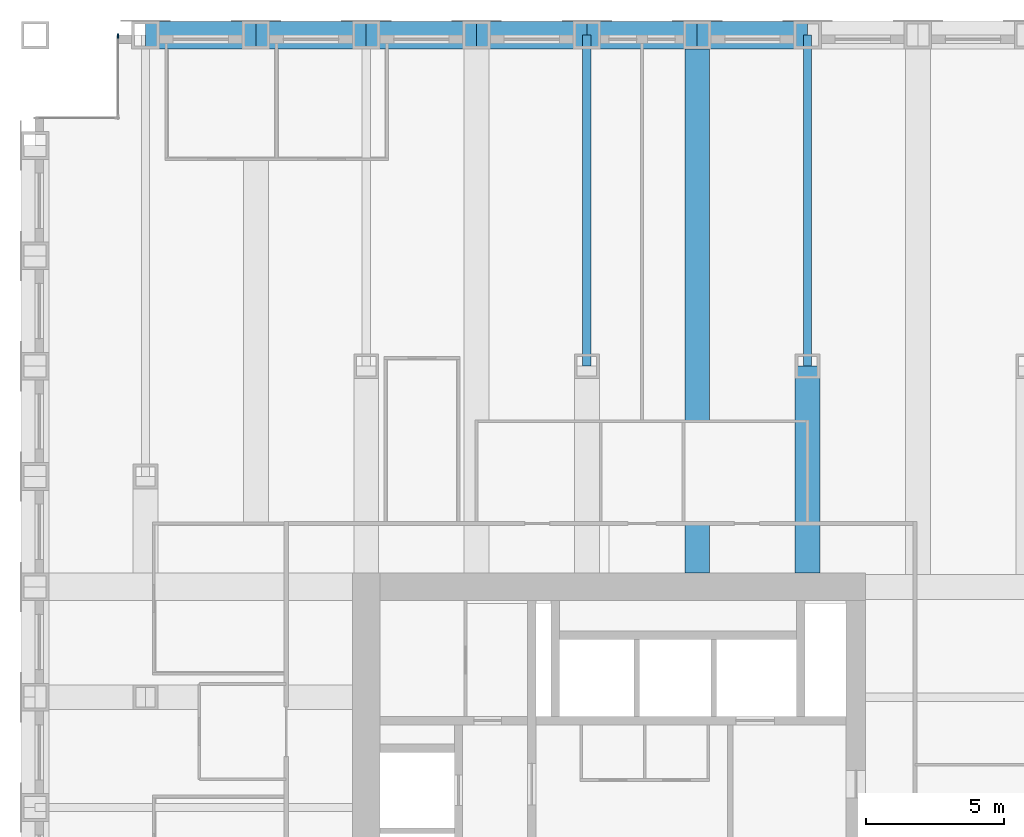
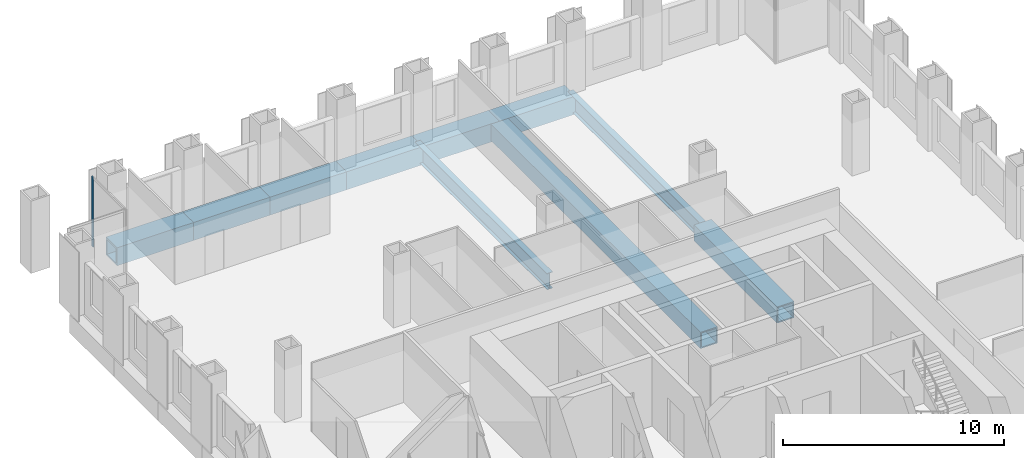
# One storey, part 6 of 14: 10 beams, 1 member, 1 element without a shape of its own.
"""IFC4 building model written with IfcOpenShell, lengths in metres."""

from ifc_helpers import new_model, si_unit, direction, frame, origin, origin_2d, place, context, subcontext, project, spatial, rectangle, hollow_rectangle, i_section, extrude, material, material_profile, profile_set, type_object, element, aggregate, save


model = new_model("IFC4")

# Units and contexts
model_context = context("Model", 3, precision=1e-05, world=origin(), true_north=direction((0.0, 1.0)))
body_context = subcontext(model_context, "Body", "Model", "MODEL_VIEW")
ifc_project = project(units=[si_unit("LENGTHUNIT", "METRE"), si_unit("AREAUNIT", "SQUARE_METRE"), si_unit("VOLUMEUNIT", "CUBIC_METRE"), si_unit("PLANEANGLEUNIT", "RADIAN"), si_unit("MASSUNIT", "GRAM", prefix="KILO")], contexts=[model_context])

# Site, building, storey
site_placement = place(None, origin())
site = spatial("IfcSite", under=ifc_project, at=site_placement, CompositionType="ELEMENT")
building_placement = place(site_placement, origin())
building = spatial("IfcBuilding", under=site, at=building_placement, Name="Rimbunsela Tower", CompositionType="ELEMENT")
storey_placement = place(building_placement, frame((0.0, 0.0, 179.800048828125)))
storey = spatial("IfcBuildingStorey", under=building, at=storey_placement, Name="L43", CompositionType="ELEMENT", Elevation=179.800048828125)

# Beams
ifc_material_1 = material(Name="Steel BJ 55 (fy 410 MPa)", Category="steel")
ifc_material_profile_1 = material_profile(ifc_material_1, hollow_rectangle(XDim=1.0, YDim=1.0, WallThickness=0.10009765625, at=origin_2d()), Name="BOX 1000x1000x100")
ifc_profile_set_1 = profile_set([ifc_material_profile_1], Name="Steel BJ 55 (fy 410 MPa)")
beam_type_1 = type_object("IfcBeamType", Name="Beam BOX 1000x1000x100", PredefinedType="BEAM", material=ifc_profile_set_1)
for number, where, z_axis, x_axis, name in (
    (1, (10.0, 56.0, -0.650146484375), (1.0, 0.0, 0.0), (0.0, 1.0, 0.0), "Beam B3 L43"),
    (2, (14.0, 56.0, -0.650146484375), (1.0, 0.0, 0.0), (0.0, 1.0, 0.0), "Beam B3 L43"),
    (3, (18.0, 56.0, -0.650146484375), (1.0, 0.0, 0.0), (0.0, 1.0, 0.0), "Beam B3 L43"),
    (4, (22.0, 56.0, -0.650146484375), (1.0, 0.0, 0.0), (0.0, 1.0, 0.0), "Beam B3 L43"),
    (5, (26.0, 56.0, -0.650146484375), (1.0, 0.0, 0.0), (0.0, 1.0, 0.0), "Beam B3 L43"),
    (6, (30.0, 56.0, -0.650146484375), (1.0, 0.0, 0.0), (0.0, 1.0, 0.0), "Beam B3 L43"),
):
    element("IfcBeam", number, at=place(storey_placement, frame(where, z_axis=z_axis, x_axis=x_axis)), inside=storey, type_object=beam_type_1, Name=name, PredefinedType="BEAM", context=body_context, shape_type="SweptSolid", body=[
        extrude(hollow_rectangle(XDim=1.0, YDim=1.0, WallThickness=0.10009765625, at=origin_2d()), origin(), (0.0, 0.0, 1.0), 4.0),
    ])
ifc_material_2 = material(Name="Steel BJ 55 (fy 410 MPa)", Category="steel")
ifc_material_profile_2 = material_profile(ifc_material_2, hollow_rectangle(XDim=0.89990234375, YDim=0.89990234375, WallThickness=0.06005859375, at=origin_2d()), Name="BOX 900x900x60")
ifc_profile_set_2 = profile_set([ifc_material_profile_2], Name="Steel BJ 55 (fy 410 MPa)")
beam_type_2 = type_object("IfcBeamType", Name="Beam BOX 900x900x60", PredefinedType="BEAM", material=ifc_profile_set_2)
beam_1_placement = place(storey_placement, frame((30.0, 36.5, -0.60009765625), z_axis=(0.0, 1.0, 0.0), x_axis=(-1.0, 0.0, 0.0)))
element("IfcBeam", 7, at=beam_1_placement, inside=storey, type_object=beam_type_2, Name="Beam B1 L43", PredefinedType="BEAM", context=body_context, shape_type="SweptSolid", body=[
    extrude(hollow_rectangle(XDim=0.89990234375, YDim=0.89990234375, WallThickness=0.06005859375, at=origin_2d()), origin(), (0.0, 0.0, 1.0), 19.5),
])
beam_2_placement = place(storey_placement, frame((34.0, 36.5, -0.60009765625), z_axis=(0.0, 1.0, 0.0), x_axis=(-1.0, 0.0, 0.0)))
element("IfcBeam", 8, at=beam_2_placement, inside=storey, type_object=beam_type_2, Name="Beam B1 L43", PredefinedType="BEAM", context=body_context, shape_type="SweptSolid", body=[
    extrude(hollow_rectangle(XDim=0.89990234375, YDim=0.89990234375, WallThickness=0.06005859375, at=origin_2d()), origin(), (0.0, 0.0, 1.0), 7.5),
])
ifc_material_3 = material(Name="Steel BJ 55 (fy 410 MPa)", Category="steel")
ifc_material_profile_3 = material_profile(ifc_material_3, i_section(OverallWidth=0.300048828125, OverallDepth=0.89990234375, WebThickness=0.01611328125, FlangeThickness=0.028076171875, FilletRadius=0.028076171875, at=origin_2d()), Name="H 900x300x16x28")
ifc_profile_set_3 = profile_set([ifc_material_profile_3], Name="Steel BJ 55 (fy 410 MPa)")
beam_type_3 = type_object("IfcBeamType", Name="Beam H 900x300x16x28", PredefinedType="BEAM", material=ifc_profile_set_3)
for number, where, z_axis, x_axis, name in (
    (9, (26.0, 44.0, -0.60009765625), (0.0, 1.0, 0.0), (-1.0, 0.0, 0.0), "Beam B2 L43"),
    (10, (34.0, 44.0, -0.60009765625), (0.0, 1.0, 0.0), (-1.0, 0.0, 0.0), "Beam B2 L43"),
):
    element("IfcBeam", number, at=place(storey_placement, frame(where, z_axis=z_axis, x_axis=x_axis)), inside=storey, type_object=beam_type_3, Name=name, PredefinedType="BEAM", context=body_context, shape_type="SweptSolid", body=[
        extrude(i_section(OverallWidth=0.300048828125, OverallDepth=0.89990234375, WebThickness=0.01611328125, FlangeThickness=0.028076171875, FilletRadius=0.028076171875, at=origin_2d()), origin(), (0.0, 0.0, 1.0), 12.0),
    ])

# Curtain wall, member
ifc_material_4 = material(Name="Aluminium curtain wall", Category="aluminium")
curtain_wall_type = type_object("IfcCurtainWallType", Name="Corner glazing", PredefinedType="USERDEFINED", material=ifc_material_4)
curtain_wall_placement = place(storey_placement, origin())
curtain_wall = element("IfcCurtainWall", 11, at=curtain_wall_placement, inside=storey, type_object=curtain_wall_type, Name="Corner glazing L43", ObjectType="CORNER GLAZING", PredefinedType="USERDEFINED")
ifc_material_5 = material(Name="Aluminium mullion", Category="aluminium")
ifc_material_profile_4 = material_profile(ifc_material_5, rectangle(XDim=0.06005859375, YDim=0.159912109375, at=origin_2d()), Name="Mullion 60x160")
ifc_profile_set_4 = profile_set([ifc_material_profile_4], Name="Aluminium mullion")
member_type = type_object("IfcMemberType", Name="Curtain wall mullion 60x160", PredefinedType="MULLION", material=ifc_profile_set_4)
member_placement = place(storey_placement, frame((9.0, 55.969970703125, 0.0), z_axis=(0.0, 0.0, 1.0), x_axis=(1.0, 0.0, 0.0)))
member = element("IfcMember", 12, at=member_placement, type_object=member_type, Name="CW5 mullion 1", PredefinedType="MULLION", context=body_context, shape_type="SweptSolid", body=[
    extrude(rectangle(XDim=0.06005859375, YDim=0.159912109375, at=origin_2d()), origin(), (0.0, 0.0, 1.0), 3.849853515625),
])
aggregate(curtain_wall, [member])

save(model, "model.ifc")
